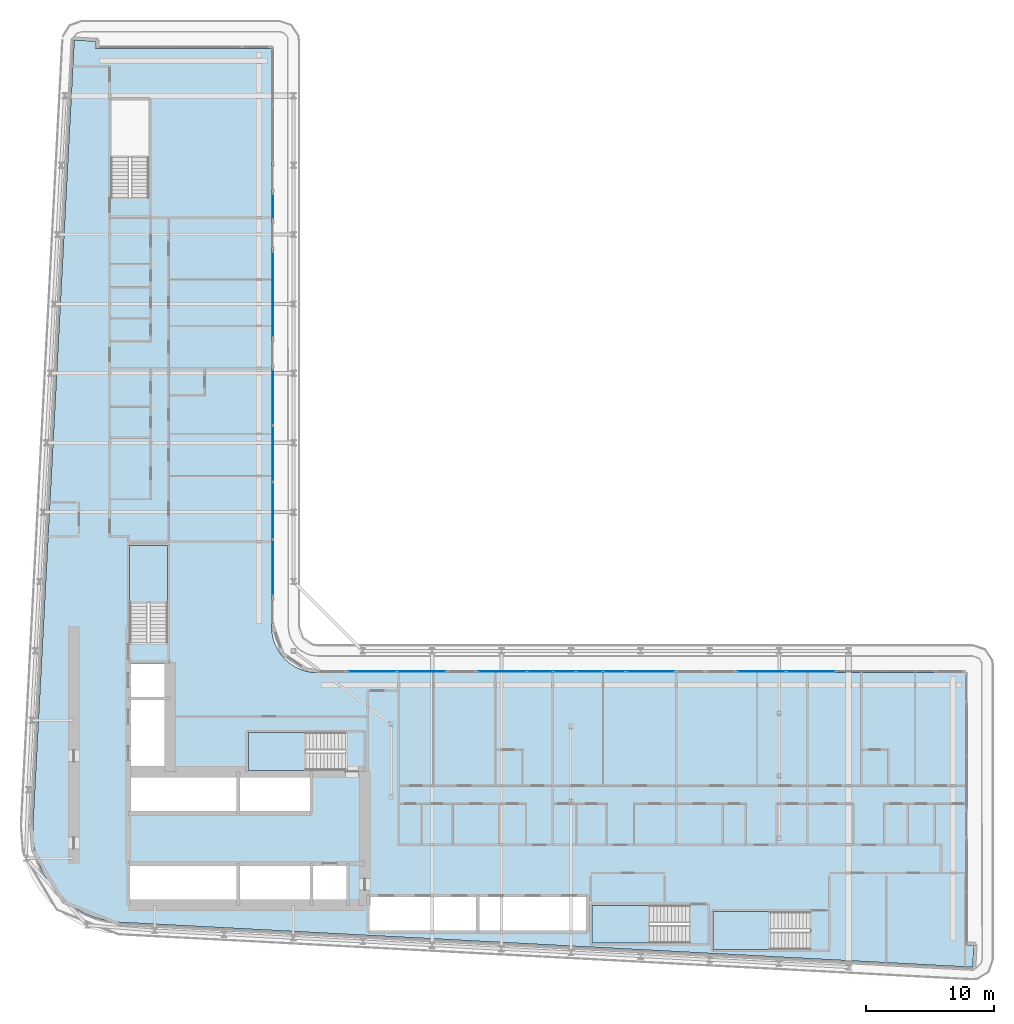
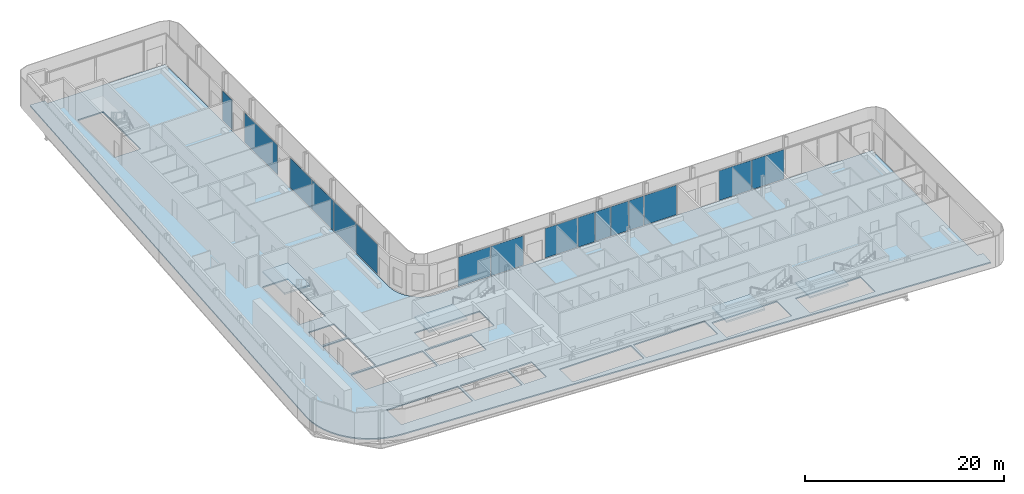
# One storey, part 10 of 26: 16 plates, 5 slabs, 12 elements without a shape of their own.
"""IFC4 building model written with IfcOpenShell, lengths in metres."""

import ifcopenshell
import ifcopenshell.guid

model = None  # the IFC model being written
_history = None  # IfcOwnerHistory: only IFC2X3 demands one
_inside = {}  # id of a spatial element -> (the spatial element, [elements in it])
_under = {}  # id of a project, library or spatial element -> (it, [spatial elements below it])
_declared = {}  # id of a project -> (the project, [libraries it declares])
_typed = {}  # id of a type object -> (the type object, [elements of that type])
_made_of = {}  # id of a material, layer set ... -> (it, [elements and type objects made of it])


def new_model(schema):
    """Start an empty IFC model of exactly this schema.

    Asked for "IFC4X3", IfcOpenShell would pick the latest addendum, in which some entities
    have other attributes; the version numbers below select the first issue.
    IFC2X3 requires an IfcOwnerHistory on every rooted entity: one is made here for all.
    """
    global model, _history
    if schema == "IFC4X3":
        model = ifcopenshell.file(schema_version=(4, 3, 0, 0))
    else:
        model = ifcopenshell.file(schema=schema)
    _inside.clear()
    _under.clear()
    _declared.clear()
    _typed.clear()
    _made_of.clear()
    _history = None
    if model.schema == "IFC2X3":
        org = make("IfcOrganization", Name="unknown")
        user = make(
            "IfcPersonAndOrganization",
            ThePerson=make("IfcPerson", FamilyName="unknown"),
            TheOrganization=org,
        )
        app = make(
            "IfcApplication",
            ApplicationDeveloper=org,
            Version="unknown",
            ApplicationFullName="unknown",
            ApplicationIdentifier="unknown",
        )
        _history = make(
            "IfcOwnerHistory",
            OwningUser=user,
            OwningApplication=app,
            ChangeAction="ADDED",
            CreationDate=0,
        )
    return model


def make(cls, **values):
    """One entity of the class cls with the attributes given. An attribute that is None is left unset."""
    return model.create_entity(
        cls, **{name: value for name, value in values.items() if value is not None}
    )


def rooted(cls, **values):
    """An entity with a GlobalId (a new one), such as an element, a storey or a relation."""
    return make(cls, GlobalId=ifcopenshell.guid.new(), OwnerHistory=_history, **values)


def si_unit(unit_type, name, prefix=None):
    """IfcSIUnit, for example si_unit("LENGTHUNIT", "METRE", prefix="MILLI")."""
    return make("IfcSIUnit", UnitType=unit_type, Prefix=prefix, Name=name)


def assignment(units):
    """IfcUnitAssignment: the units of a project."""
    return None if units is None else make("IfcUnitAssignment", Units=units)


def point(xyz):
    """IfcCartesianPoint."""
    return None if xyz is None else make("IfcCartesianPoint", Coordinates=xyz)


def direction(xyz):
    """IfcDirection."""
    return None if xyz is None else make("IfcDirection", DirectionRatios=xyz)


def frame(location, z_axis=None, x_axis=None):
    """IfcAxis2Placement3D, a coordinate frame: its origin and axes. An axis left out is left unset."""
    return make(
        "IfcAxis2Placement3D",
        Location=point(location),
        Axis=direction(z_axis),
        RefDirection=direction(x_axis),
    )


def frame_2d(location, x_axis=None):
    """IfcAxis2Placement2D, a coordinate frame in the plane: its origin and x axis."""
    return make(
        "IfcAxis2Placement2D", Location=point(location), RefDirection=direction(x_axis)
    )


def origin():
    """The frame at (0, 0, 0) with its axes left unset."""
    return frame((0.0, 0.0, 0.0))


def origin_2d():
    """The frame at (0, 0) in the plane with its x axis left unset."""
    return frame_2d((0.0, 0.0))


def place(relative_to, where):
    """IfcLocalPlacement: puts the frame where relative to a parent placement (None: the world)."""
    return make(
        "IfcLocalPlacement", PlacementRelTo=relative_to, RelativePlacement=where
    )


def context(
    kind, dimensions, precision=None, world=None, true_north=None, identifier=None
):
    """IfcGeometricRepresentationContext, for example the 3D "Model" context."""
    return make(
        "IfcGeometricRepresentationContext",
        ContextIdentifier=identifier,
        ContextType=kind,
        CoordinateSpaceDimension=dimensions,
        Precision=precision,
        WorldCoordinateSystem=world,
        TrueNorth=true_north,
    )


def subcontext(parent, identifier, kind, view, scale=None):
    """IfcGeometricRepresentationSubContext, for example "Body" below "Model"."""
    return make(
        "IfcGeometricRepresentationSubContext",
        ContextIdentifier=identifier,
        ContextType=kind,
        ParentContext=parent,
        TargetScale=scale,
        TargetView=view,
    )


def project(units=None, contexts=None):
    """IfcProject with its units and contexts."""
    return rooted(
        "IfcProject",
        Name="project",
        RepresentationContexts=contexts,
        UnitsInContext=assignment(units),
    )


def spatial(cls, under=None, at=None, **own):
    """A site, building, storey or space (cls), placed at a placement, below another one or the project."""
    s = rooted(cls, ObjectPlacement=at, **own)
    if under is not None:
        _under.setdefault(under.id(), (under, []))[1].append(s)
    return s


def polyline(points):
    """IfcPolyline through the points."""
    return make("IfcPolyline", Points=[point(p) for p in points])


def profile(cls, at=None, kind="AREA", **sizes):
    """A parametric profile (cls). Its sizes go by their IFC names, for example OverallWidth=200.0."""
    return make(cls, ProfileType=kind, Position=at, **sizes)


def rectangle(**sizes):
    """IfcRectangleProfileDef."""
    return profile("IfcRectangleProfileDef", **sizes)


def outline(outer, holes=None, kind="AREA"):
    """IfcArbitraryClosedProfileDef: a profile drawn as a closed curve; with holes, ...WithVoids."""
    if holes is None:
        return make("IfcArbitraryClosedProfileDef", ProfileType=kind, OuterCurve=outer)
    return make(
        "IfcArbitraryProfileDefWithVoids",
        ProfileType=kind,
        OuterCurve=outer,
        InnerCurves=holes,
    )


def extrude(swept, where, along, depth):
    """IfcExtrudedAreaSolid: the profile swept, set in the frame where, extruded along a direction by depth."""
    return make(
        "IfcExtrudedAreaSolid",
        SweptArea=swept,
        Position=where,
        ExtrudedDirection=direction(along),
        Depth=depth,
    )


def shape(context_of_items, identifier, shape_type, items):
    """IfcShapeRepresentation: the items that make up one representation, for example the "Body"."""
    return make(
        "IfcShapeRepresentation",
        ContextOfItems=context_of_items,
        RepresentationIdentifier=identifier,
        RepresentationType=shape_type,
        Items=items,
    )


def material(Name=None, Category=None):
    """IfcMaterial."""
    return make("IfcMaterial", Name=Name, Category=Category)


def layer(
    of_material, thickness, ventilated=None, Name=None, Category=None, Priority=None
):
    """IfcMaterialLayer: one layer of a wall or slab, of a material (None: an air gap)."""
    return make(
        "IfcMaterialLayer",
        Material=of_material,
        LayerThickness=thickness,
        IsVentilated=ventilated,
        Name=Name,
        Category=Category,
        Priority=Priority,
    )


def layer_set(layers, Name=None):
    """IfcMaterialLayerSet."""
    return make("IfcMaterialLayerSet", MaterialLayers=layers, LayerSetName=Name)


def made_of(thing, what):
    """Note that an element or type object is made of a material, layer set ...; save() writes the relation."""
    if what is not None:
        _made_of.setdefault(what.id(), (what, []))[1].append(thing)
    return thing


def type_object(cls, material=None, **own):
    """A type object (cls), such as IfcWallType, which elements share."""
    return made_of(rooted(cls, **own), material)


def element(
    cls,
    number,
    at=None,
    inside=None,
    cuts=None,
    type_object=None,
    material=None,
    context=None,
    identifier="Body",
    shape_type=None,
    held_by="IfcProductDefinitionShape",
    body=None,
    shapes=None,
    **own,
):
    """One element of the class cls, such as IfcWall. Its Tag is "e" and its number.

    at: its placement. inside: the storey or other place that contains it. cuts: it is an
    opening in that element (IfcRelVoidsElement). A single representation is given by context,
    identifier, shape_type and body (its items); several are given by shapes. held_by: the class
    of the entity that holds the representations. save() writes the other relations.
    """
    e = rooted(cls, Tag="e%d" % number, ObjectPlacement=at, **own)
    if body is not None:
        shapes = [shape(context, identifier, shape_type, body)]
    if shapes is not None:
        e.Representation = make(held_by, Representations=shapes)
    if inside is not None:
        _inside.setdefault(inside.id(), (inside, []))[1].append(e)
    if cuts is not None:
        rooted(
            "IfcRelVoidsElement", RelatingBuildingElement=cuts, RelatedOpeningElement=e
        )
    if type_object is not None:
        _typed.setdefault(type_object.id(), (type_object, []))[1].append(e)
    return made_of(e, material)


def aggregate(whole, parts):
    """IfcRelAggregates: a whole, such as a stair, and the parts it consists of."""
    return rooted("IfcRelAggregates", RelatingObject=whole, RelatedObjects=parts)


def save(model, path):
    """Write the relations noted so far, then the file.

    IfcRelAggregates (storeys below a building ...), IfcRelContainedInSpatialStructure (elements
    in a storey), IfcRelDefinesByType, IfcRelAssociatesMaterial and IfcRelDeclares: one each for
    every whole, place, type object, material and project.
    """
    for whole, parts in _under.values():
        aggregate(whole, parts)
    for where, things in _inside.values():
        rooted(
            "IfcRelContainedInSpatialStructure",
            RelatedElements=things,
            RelatingStructure=where,
        )
    for kind, things in _typed.values():
        rooted("IfcRelDefinesByType", RelatedObjects=things, RelatingType=kind)
    for what, things in _made_of.values():
        rooted("IfcRelAssociatesMaterial", RelatedObjects=things, RelatingMaterial=what)
    for by, libraries in _declared.values():
        rooted("IfcRelDeclares", RelatingContext=by, RelatedDefinitions=libraries)
    model.write(path)


model = new_model("IFC4")

# Units and contexts
model_context = context("Model", 3, precision=1e-05, world=origin(), true_north=direction((0.0, 1.0)))
body_context = subcontext(model_context, "Body", "Model", "MODEL_VIEW")
ifc_project = project(units=[si_unit("LENGTHUNIT", "METRE"), si_unit("AREAUNIT", "SQUARE_METRE"), si_unit("VOLUMEUNIT", "CUBIC_METRE"), si_unit("PLANEANGLEUNIT", "RADIAN"), si_unit("MASSUNIT", "GRAM", prefix="KILO")], contexts=[model_context])

# Site, building, storey
site_placement = place(None, origin())
site = spatial("IfcSite", under=ifc_project, at=site_placement, CompositionType="ELEMENT")
building_placement = place(site_placement, origin())
building = spatial("IfcBuilding", under=site, at=building_placement, Name="Kheshtan School and Residences Tower", CompositionType="ELEMENT")
storey_placement = place(building_placement, frame((0.0, 0.0, 105.800048828125)))
storey = spatial("IfcBuildingStorey", under=building, at=storey_placement, Name="L24", CompositionType="ELEMENT", Elevation=105.800048828125)

# Curtain wall, plate
ifc_material_1 = material(Name="Clear low-e glass in thermally broken aluminium frame", Category="aluminium")
ifc_layer_1 = layer(ifc_material_1, 0.199951171875)
ifc_layer_set_1 = layer_set([ifc_layer_1], Name="Curtain wall CW-L")
curtain_wall_type = type_object("IfcCurtainWallType", Name="Curtain wall CW-L", PredefinedType="NOTDEFINED", material=ifc_layer_set_1)
curtain_wall_1_placement = place(storey_placement, origin())
curtain_wall_1 = element("IfcCurtainWall", 1, at=curtain_wall_1_placement, inside=storey, type_object=curtain_wall_type, Name="Curtain wall CWL4c", PredefinedType="NOTDEFINED")
ifc_layer_2 = layer(ifc_material_1, 0.031982421875)
ifc_layer_set_2 = layer_set([ifc_layer_2], Name="CW-L glass panel")
plate_type = type_object("IfcPlateType", Name="CW-L glass panel", PredefinedType="CURTAIN_PANEL", material=ifc_layer_set_2)
plate_1_placement = place(storey_placement, frame((46.0, 80.1826171875, 0.0), z_axis=(0.0, 0.0, 1.0), x_axis=(0.0, -1.0, 0.0)))
plate_1 = element("IfcPlate", 2, at=plate_1_placement, type_object=plate_type, Name="CWL4c panel 1.1", PredefinedType="CURTAIN_PANEL", context=body_context, shape_type="SweptSolid", body=[
    extrude(rectangle(XDim=1.97998046875, YDim=0.031982421875, at=origin_2d()), origin(), (0.0, 0.0, 1.0), 3.6298828125),
])
aggregate(curtain_wall_1, [plate_1])

curtain_wall_2_placement = place(storey_placement, origin())
curtain_wall_2 = element("IfcCurtainWall", 3, at=curtain_wall_2_placement, inside=storey, type_object=curtain_wall_type, Name="Curtain wall CWL4d", PredefinedType="NOTDEFINED")
plate_2_placement = place(storey_placement, frame((46.0, 73.3486328125, 0.0), z_axis=(0.0, 0.0, 1.0), x_axis=(0.0, -1.0, 0.0)))
plate_2 = element("IfcPlate", 4, at=plate_2_placement, type_object=plate_type, Name="CWL4d panel 1.1", PredefinedType="CURTAIN_PANEL", context=body_context, shape_type="SweptSolid", body=[
    extrude(rectangle(XDim=6.6474609375, YDim=0.031982421875, at=origin_2d()), origin(), (0.0, 0.0, 1.0), 3.6298828125),
])
aggregate(curtain_wall_2, [plate_2])

# Curtain wall, plates
curtain_wall_3_placement = place(storey_placement, origin())
curtain_wall_3 = element("IfcCurtainWall", 5, at=curtain_wall_3_placement, inside=storey, type_object=curtain_wall_type, Name="Curtain wall CWL4b", PredefinedType="NOTDEFINED")
plate_3_placement = place(storey_placement, frame((46.0, 65.3330078125, 0.0), z_axis=(0.0, 0.0, 1.0), x_axis=(0.0, -1.0, 0.0)))
plate_3 = element("IfcPlate", 6, at=plate_3_placement, type_object=plate_type, Name="CWL4b panel 1.1", PredefinedType="CURTAIN_PANEL", context=body_context, shape_type="SweptSolid", body=[
    extrude(rectangle(XDim=4.34375, YDim=0.031982421875, at=origin_2d()), origin(), (0.0, 0.0, 1.0), 3.6298828125),
])
plate_4_placement = place(storey_placement, frame((46.0, 60.929443359375, 0.0), z_axis=(0.0, 0.0, 1.0), x_axis=(0.0, -1.0, 0.0)))
plate_4 = element("IfcPlate", 7, at=plate_4_placement, type_object=plate_type, Name="CWL4b panel 2.1", PredefinedType="CURTAIN_PANEL", context=body_context, shape_type="SweptSolid", body=[
    extrude(rectangle(XDim=4.34375, YDim=0.031982421875, at=origin_2d()), origin(), (0.0, 0.0, 1.0), 3.6298828125),
])
aggregate(curtain_wall_3, [plate_3, plate_4])

curtain_wall_4_placement = place(storey_placement, origin())
curtain_wall_4 = element("IfcCurtainWall", 8, at=curtain_wall_4_placement, inside=storey, type_object=curtain_wall_type, Name="Curtain wall CWL4b", PredefinedType="NOTDEFINED")
plate_5_placement = place(storey_placement, frame((46.0, 56.49560546875, 0.0), z_axis=(0.0, 0.0, 1.0), x_axis=(0.0, -1.0, 0.0)))
plate_5 = element("IfcPlate", 9, at=plate_5_placement, type_object=plate_type, Name="CWL4b panel 1.1", PredefinedType="CURTAIN_PANEL", context=body_context, shape_type="SweptSolid", body=[
    extrude(rectangle(XDim=4.40380859375, YDim=0.031982421875, at=origin_2d()), origin(), (0.0, 0.0, 1.0), 3.6298828125),
])
plate_6_placement = place(storey_placement, frame((46.0, 52.061767578125, 0.0), z_axis=(0.0, 0.0, 1.0), x_axis=(0.0, -1.0, 0.0)))
plate_6 = element("IfcPlate", 10, at=plate_6_placement, type_object=plate_type, Name="CWL4b panel 2.1", PredefinedType="CURTAIN_PANEL", context=body_context, shape_type="SweptSolid", body=[
    extrude(rectangle(XDim=4.34375, YDim=0.031982421875, at=origin_2d()), origin(), (0.0, 0.0, 1.0), 3.6298828125),
])
aggregate(curtain_wall_4, [plate_5, plate_6])

curtain_wall_5_placement = place(storey_placement, origin())
curtain_wall_5 = element("IfcCurtainWall", 11, at=curtain_wall_5_placement, inside=storey, type_object=curtain_wall_type, Name="Curtain wall CWL8", PredefinedType="NOTDEFINED")
plate_7_placement = place(storey_placement, frame((53.7685546875, 44.0, 0.0), z_axis=(0.0, 0.0, 1.0), x_axis=(1.0, 0.0, 0.0)))
plate_7 = element("IfcPlate", 12, at=plate_7_placement, type_object=plate_type, Name="CWL8 panel 1.1", PredefinedType="CURTAIN_PANEL", context=body_context, shape_type="SweptSolid", body=[
    extrude(rectangle(XDim=3.757080078125, YDim=0.031982421875, at=origin_2d()), origin(), (0.0, 0.0, 1.0), 3.6298828125),
])
plate_8_placement = place(storey_placement, frame((57.58544921875, 44.0, 0.0), z_axis=(0.0, 0.0, 1.0), x_axis=(1.0, 0.0, 0.0)))
plate_8 = element("IfcPlate", 13, at=plate_8_placement, type_object=plate_type, Name="CWL8 panel 2.1", PredefinedType="CURTAIN_PANEL", context=body_context, shape_type="SweptSolid", body=[
    extrude(rectangle(XDim=3.757080078125, YDim=0.031982421875, at=origin_2d()), origin(), (0.0, 0.0, 1.0), 3.6298828125),
])
aggregate(curtain_wall_5, [plate_7, plate_8])

curtain_wall_6_placement = place(storey_placement, origin())
curtain_wall_6 = element("IfcCurtainWall", 14, at=curtain_wall_6_placement, inside=storey, type_object=curtain_wall_type, Name="Curtain wall CWL8c", PredefinedType="NOTDEFINED")
plate_9_placement = place(storey_placement, frame((63.862548828125, 44.0, 0.0), z_axis=(0.0, 0.0, 1.0), x_axis=(1.0, 0.0, 0.0)))
plate_9 = element("IfcPlate", 15, at=plate_9_placement, type_object=plate_type, Name="CWL8c panel 1.1", PredefinedType="CURTAIN_PANEL", context=body_context, shape_type="SweptSolid", body=[
    extrude(rectangle(XDim=3.757080078125, YDim=0.031982421875, at=origin_2d()), origin(), (0.0, 0.0, 1.0), 3.6298828125),
])
plate_10_placement = place(storey_placement, frame((66.785400390625, 44.0, 0.0), z_axis=(0.0, 0.0, 1.0), x_axis=(1.0, 0.0, 0.0)))
plate_10 = element("IfcPlate", 16, at=plate_10_placement, type_object=plate_type, Name="CWL8c panel 2.1", PredefinedType="CURTAIN_PANEL", context=body_context, shape_type="SweptSolid", body=[
    extrude(rectangle(XDim=1.968994140625, YDim=0.031982421875, at=origin_2d()), origin(), (0.0, 0.0, 1.0), 3.6298828125),
])
plate_11_placement = place(storey_placement, frame((68.694091796875, 44.0, 0.0), z_axis=(0.0, 0.0, 1.0), x_axis=(1.0, 0.0, 0.0)))
plate_11 = element("IfcPlate", 17, at=plate_11_placement, type_object=plate_type, Name="CWL8c panel 3.1", PredefinedType="CURTAIN_PANEL", context=body_context, shape_type="SweptSolid", body=[
    extrude(rectangle(XDim=1.72802734375, YDim=0.031982421875, at=origin_2d()), origin(), (0.0, 0.0, 1.0), 3.6298828125),
])
aggregate(curtain_wall_6, [plate_9, plate_10, plate_11])

curtain_wall_7_placement = place(storey_placement, origin())
curtain_wall_7 = element("IfcCurtainWall", 18, at=curtain_wall_7_placement, inside=storey, type_object=curtain_wall_type, Name="Curtain wall CWL8c", PredefinedType="NOTDEFINED")
plate_12_placement = place(storey_placement, frame((70.64404296875, 44.0, 0.0), z_axis=(0.0, 0.0, 1.0), x_axis=(1.0, 0.0, 0.0)))
plate_12 = element("IfcPlate", 19, at=plate_12_placement, type_object=plate_type, Name="CWL8c panel 1.1", PredefinedType="CURTAIN_PANEL", context=body_context, shape_type="SweptSolid", body=[
    extrude(rectangle(XDim=2.052001953125, YDim=0.031982421875, at=origin_2d()), origin(), (0.0, 0.0, 1.0), 3.6298828125),
])
plate_13_placement = place(storey_placement, frame((72.58251953125, 44.0, 0.0), z_axis=(0.0, 0.0, 1.0), x_axis=(1.0, 0.0, 0.0)))
plate_13 = element("IfcPlate", 20, at=plate_13_placement, type_object=plate_type, Name="CWL8c panel 2.1", PredefinedType="CURTAIN_PANEL", context=body_context, shape_type="SweptSolid", body=[
    extrude(rectangle(XDim=1.705078125, YDim=0.031982421875, at=origin_2d()), origin(), (0.0, 0.0, 1.0), 3.6298828125),
])
plate_14_placement = place(storey_placement, frame((75.37353515625, 44.0, 0.0), z_axis=(0.0, 0.0, 1.0), x_axis=(1.0, 0.0, 0.0)))
plate_14 = element("IfcPlate", 21, at=plate_14_placement, type_object=plate_type, Name="CWL8c panel 3.1", PredefinedType="CURTAIN_PANEL", context=body_context, shape_type="SweptSolid", body=[
    extrude(rectangle(XDim=3.757080078125, YDim=0.031982421875, at=origin_2d()), origin(), (0.0, 0.0, 1.0), 3.6298828125),
])
aggregate(curtain_wall_7, [plate_12, plate_13, plate_14])

curtain_wall_8_placement = place(storey_placement, origin())
curtain_wall_8 = element("IfcCurtainWall", 22, at=curtain_wall_8_placement, inside=storey, type_object=curtain_wall_type, Name="Curtain wall CWL8", PredefinedType="NOTDEFINED")
plate_15_placement = place(storey_placement, frame((84.050537109375, 44.0, 0.0), z_axis=(0.0, 0.0, 1.0), x_axis=(1.0, 0.0, 0.0)))
plate_15 = element("IfcPlate", 23, at=plate_15_placement, type_object=plate_type, Name="CWL8 panel 1.1", PredefinedType="CURTAIN_PANEL", context=body_context, shape_type="SweptSolid", body=[
    extrude(rectangle(XDim=3.757080078125, YDim=0.031982421875, at=origin_2d()), origin(), (0.0, 0.0, 1.0), 3.6298828125),
])
plate_16_placement = place(storey_placement, frame((87.867431640625, 44.0, 0.0), z_axis=(0.0, 0.0, 1.0), x_axis=(1.0, 0.0, 0.0)))
plate_16 = element("IfcPlate", 24, at=plate_16_placement, type_object=plate_type, Name="CWL8 panel 2.1", PredefinedType="CURTAIN_PANEL", context=body_context, shape_type="SweptSolid", body=[
    extrude(rectangle(XDim=3.757080078125, YDim=0.031982421875, at=origin_2d()), origin(), (0.0, 0.0, 1.0), 3.6298828125),
])
aggregate(curtain_wall_8, [plate_15, plate_16])

# Slab
ifc_material_2 = material(Name="Concrete C40/50", Category="concrete")
ifc_layer_3 = layer(ifc_material_2, 0.14990234375)
ifc_layer_set_3 = layer_set([ifc_layer_3], Name="Floor slab 150 Concrete C40/50")
slab_type_1 = type_object("IfcSlabType", Name="Floor slab 150 Concrete C40/50", PredefinedType="FLOOR", material=ifc_layer_set_3)
slab_1_placement = place(storey_placement, frame((0.0, 0.0, -0.150146484375)))
element("IfcSlab", 25, at=slab_1_placement, inside=storey, type_object=slab_type_1, Name="Floor slab L24", PredefinedType="FLOOR", context=body_context, shape_type="SweptSolid", body=[
    extrude(outline(polyline([(27.718017578125, 29.200927734375), (27.466064453125, 30.093017578125), (27.466064453125, 30.093994140625), (27.3330078125, 31.013916015625), (27.320068359375, 31.965087890625), (27.320068359375, 31.970947265625), (30.5380859375, 93.10107421875), (30.5390625, 93.10791015625), (30.5419921875, 93.131103515625), (30.5419921875, 93.132080078125), (30.54296875, 93.132080078125), (31.137939453125, 93.10009765625), (31.138916015625, 93.10009765625), (31.138916015625, 93.09912109375), (31.138916015625, 93.094970703125), (31.138916015625, 93.093994140625), (31.139892578125, 93.093994140625), (31.139892578125, 93.093017578125), (31.14111328125, 93.093017578125), (31.14208984375, 93.093017578125), (31.14208984375, 93.093994140625), (31.14404296875, 93.095947265625), (31.14501953125, 93.096923828125), (31.14599609375, 93.097900390625), (31.14697265625, 93.097900390625), (31.14697265625, 93.09912109375), (31.14794921875, 93.09912109375), (31.14794921875, 93.10009765625), (31.14892578125, 93.10009765625), (31.152099609375, 93.10205078125), (31.155029296875, 93.10205078125), (31.156005859375, 93.10205078125), (31.156005859375, 93.10302734375), (31.156982421875, 93.10302734375), (31.162109375, 93.10302734375), (32.217041015625, 93.047119140625), (32.219970703125, 93.047119140625), (32.220947265625, 93.047119140625), (32.220947265625, 93.0458984375), (32.221923828125, 93.0458984375), (32.22607421875, 93.0458984375), (32.22607421875, 93.044921875), (32.22705078125, 93.044921875), (32.22705078125, 93.0439453125), (32.22802734375, 93.0439453125), (32.22802734375, 93.04296875), (32.22900390625, 93.04296875), (32.22998046875, 93.04296875), (32.22998046875, 93.0419921875), (32.23095703125, 93.0419921875), (32.23193359375, 93.0419921875), (32.23193359375, 93.041015625), (32.23388671875, 93.0390625), (32.235107421875, 93.0390625), (32.235107421875, 93.0380859375), (32.235107421875, 93.037109375), (32.236083984375, 93.037109375), (32.236083984375, 93.035888671875), (32.237060546875, 93.035888671875), (32.237060546875, 93.033935546875), (32.237060546875, 93.032958984375), (32.238037109375, 93.032958984375), (32.238037109375, 93.031982421875), (32.239013671875, 93.031982421875), (32.239013671875, 93.031005859375), (32.239013671875, 93.029052734375), (32.239013671875, 93.028076171875), (32.239990234375, 93.028076171875), (32.239990234375, 93.027099609375), (32.239990234375, 93.02197265625), (32.212890625, 92.52099609375), (32.212890625, 92.51806640625), (32.212890625, 92.51708984375), (32.2119140625, 92.51708984375), (32.2119140625, 92.51611328125), (32.2119140625, 92.511962890625), (32.2109375, 92.510009765625), (32.2099609375, 92.510009765625), (32.2099609375, 92.509033203125), (32.208984375, 92.509033203125), (32.208984375, 92.508056640625), (32.2080078125, 92.507080078125), (32.2060546875, 92.5048828125), (32.205078125, 92.50390625), (32.2041015625, 92.50390625), (32.2041015625, 92.5029296875), (32.2041015625, 92.501953125), (32.2041015625, 92.5009765625), (32.205078125, 92.5009765625), (32.205078125, 92.5), (32.2060546875, 92.5), (45.85498046875, 92.5), (45.860107421875, 92.4990234375), (45.864990234375, 92.498046875), (45.865966796875, 92.498046875), (45.868896484375, 92.49609375), (45.8740234375, 92.493896484375), (45.8779296875, 92.491943359375), (45.881103515625, 92.489990234375), (45.881103515625, 92.489013671875), (45.882080078125, 92.489013671875), (45.882080078125, 92.488037109375), (45.883056640625, 92.488037109375), (45.884033203125, 92.485107421875), (45.885009765625, 92.485107421875), (45.885009765625, 92.48388671875), (45.887939453125, 92.48291015625), (45.887939453125, 92.48193359375), (45.888916015625, 92.48193359375), (45.888916015625, 92.48095703125), (45.889892578125, 92.48095703125), (45.89208984375, 92.47802734375), (45.89404296875, 92.47412109375), (45.89599609375, 92.468994140625), (45.89794921875, 92.466064453125), (45.89794921875, 92.465087890625), (45.89892578125, 92.4599609375), (45.89990234375, 92.455078125), (45.89990234375, 47.429931640625), (45.927001953125, 47.030029296875), (46.01806640625, 46.570068359375), (46.01806640625, 46.569091796875), (46.169921875, 46.1201171875), (46.37890625, 45.697021484375), (46.638916015625, 45.30810546875), (46.949951171875, 44.950927734375), (46.950927734375, 44.949951171875), (47.30810546875, 44.638916015625), (47.697021484375, 44.37890625), (48.1201171875, 44.169921875), (48.569091796875, 44.01806640625), (48.570068359375, 44.01806640625), (49.030029296875, 43.927001953125), (49.429931640625, 43.89990234375), (99.85498046875, 43.89990234375), (99.864990234375, 43.89794921875), (99.865966796875, 43.89794921875), (99.868896484375, 43.89599609375), (99.8740234375, 43.89404296875), (99.8779296875, 43.89208984375), (99.881103515625, 43.889892578125), (99.881103515625, 43.888916015625), (99.882080078125, 43.888916015625), (99.882080078125, 43.887939453125), (99.883056640625, 43.887939453125), (99.884033203125, 43.885009765625), (99.885009765625, 43.885009765625), (99.885009765625, 43.884033203125), (99.887939453125, 43.883056640625), (99.887939453125, 43.882080078125), (99.888916015625, 43.882080078125), (99.888916015625, 43.881103515625), (99.889892578125, 43.881103515625), (99.89208984375, 43.8779296875), (99.89404296875, 43.8740234375), (99.89599609375, 43.868896484375), (99.89794921875, 43.865966796875), (99.89794921875, 43.864990234375), (99.89990234375, 43.85498046875), (99.89990234375, 22.708984375), (99.89990234375, 22.7080078125), (99.90087890625, 22.7080078125), (99.90087890625, 22.70703125), (99.902099609375, 22.70703125), (99.903076171875, 22.70703125), (99.903076171875, 22.7080078125), (99.905029296875, 22.7099609375), (99.906982421875, 22.7119140625), (99.907958984375, 22.7119140625), (99.907958984375, 22.712890625), (99.908935546875, 22.712890625), (99.908935546875, 22.714111328125), (99.909912109375, 22.714111328125), (99.912109375, 22.715087890625), (99.9130859375, 22.716064453125), (99.916015625, 22.716064453125), (99.9169921875, 22.716064453125), (99.9169921875, 22.717041015625), (99.91796875, 22.717041015625), (99.923095703125, 22.717041015625), (100.5380859375, 22.68408203125), (100.541015625, 22.68408203125), (100.5419921875, 22.68408203125), (100.5419921875, 22.68310546875), (100.54296875, 22.68310546875), (100.547119140625, 22.68310546875), (100.547119140625, 22.681884765625), (100.548095703125, 22.681884765625), (100.548095703125, 22.680908203125), (100.549072265625, 22.680908203125), (100.549072265625, 22.679931640625), (100.550048828125, 22.679931640625), (100.551025390625, 22.679931640625), (100.551025390625, 22.678955078125), (100.552001953125, 22.678955078125), (100.552978515625, 22.678955078125), (100.552978515625, 22.677978515625), (100.554931640625, 22.676025390625), (100.555908203125, 22.676025390625), (100.555908203125, 22.675048828125), (100.555908203125, 22.674072265625), (100.556884765625, 22.674072265625), (100.556884765625, 22.673095703125), (100.55810546875, 22.673095703125), (100.55810546875, 22.6708984375), (100.55810546875, 22.669921875), (100.55908203125, 22.669921875), (100.55908203125, 22.6689453125), (100.56005859375, 22.6689453125), (100.56005859375, 22.66796875), (100.56005859375, 22.666015625), (100.56005859375, 22.6650390625), (100.56103515625, 22.6650390625), (100.56103515625, 22.6640625), (100.56103515625, 22.658935546875), (100.5048828125, 21.60205078125), (100.5048828125, 21.59912109375), (100.5048828125, 21.597900390625), (100.50390625, 21.597900390625), (100.50390625, 21.596923828125), (100.50390625, 21.593017578125), (100.5029296875, 21.592041015625), (100.5029296875, 21.591064453125), (100.501953125, 21.591064453125), (100.501953125, 21.590087890625), (100.5009765625, 21.590087890625), (100.5009765625, 21.589111328125), (100.5, 21.587890625), (100.498046875, 21.5859375), (100.4970703125, 21.5849609375), (100.49609375, 21.5849609375), (100.49609375, 21.583984375), (100.49609375, 21.5830078125), (100.49609375, 21.58203125), (100.4970703125, 21.58203125), (100.4970703125, 21.5810546875), (100.498046875, 21.5810546875), (100.4990234375, 21.5810546875), (100.5, 21.5810546875), (100.5, 21.580078125), (100.468017578125, 20.985107421875), (100.468017578125, 20.98388671875), (100.467041015625, 20.98388671875), (100.443115234375, 20.98291015625), (100.43798828125, 20.98291015625), (34.056884765625, 24.47802734375), (33.114990234375, 24.590087890625), (32.215087890625, 24.819091796875), (32.214111328125, 24.819091796875), (31.35205078125, 25.1630859375), (30.541015625, 25.616943359375), (29.799072265625, 26.1708984375), (29.799072265625, 26.172119140625), (29.798095703125, 26.172119140625), (29.134033203125, 26.820068359375), (29.134033203125, 26.821044921875), (29.133056640625, 26.821044921875), (28.55908203125, 27.550048828125), (28.0849609375, 28.345947265625), (27.718017578125, 29.200927734375)]), holes=[polyline([(99.89990234375, 21.5869140625), (99.89990234375, 21.5830078125), (99.89990234375, 21.58203125), (99.90087890625, 21.58203125), (99.90087890625, 21.5810546875), (99.902099609375, 21.5810546875), (99.906005859375, 21.5810546875), (99.906982421875, 21.5810546875), (99.906982421875, 21.58203125), (99.907958984375, 21.58203125), (99.907958984375, 21.5830078125), (99.907958984375, 21.583984375), (99.906982421875, 21.583984375), (99.905029296875, 21.5859375), (99.904052734375, 21.5869140625), (99.903076171875, 21.587890625), (99.903076171875, 21.589111328125), (99.902099609375, 21.589111328125), (99.90087890625, 21.589111328125), (99.90087890625, 21.587890625), (99.89990234375, 21.587890625), (99.89990234375, 21.5869140625)]), polyline([(31.138916015625, 92.506103515625), (31.138916015625, 92.501953125), (31.138916015625, 92.5009765625), (31.139892578125, 92.5009765625), (31.139892578125, 92.5), (31.14111328125, 92.5), (31.14501953125, 92.5), (31.14599609375, 92.5), (31.14599609375, 92.5009765625), (31.14697265625, 92.5009765625), (31.14697265625, 92.501953125), (31.14697265625, 92.5029296875), (31.14599609375, 92.5029296875), (31.14501953125, 92.50390625), (31.14404296875, 92.5048828125), (31.14306640625, 92.506103515625), (31.14208984375, 92.507080078125), (31.14208984375, 92.508056640625), (31.14111328125, 92.508056640625), (31.139892578125, 92.508056640625), (31.139892578125, 92.507080078125), (31.138916015625, 92.507080078125), (31.138916015625, 92.506103515625)]), polyline([(34.875, 28.925048828125), (34.875, 25.925048828125), (43.175048828125, 25.925048828125), (43.175048828125, 28.925048828125), (34.875, 28.925048828125)]), polyline([(43.425048828125, 25.925048828125), (48.875, 25.925048828125), (48.875, 28.925048828125), (43.425048828125, 28.925048828125), (43.425048828125, 25.925048828125)]), polyline([(43.175048828125, 36.074951171875), (34.875, 36.074951171875), (34.875, 33.074951171875), (43.175048828125, 33.074951171875), (43.175048828125, 36.074951171875)]), polyline([(34.875, 41.77490234375), (34.875, 36.324951171875), (37.875, 36.324951171875), (37.875, 41.77490234375), (34.875, 41.77490234375)]), polyline([(34.875, 44.625), (34.875, 42.02490234375), (37.875, 42.02490234375), (37.875, 44.625), (34.875, 44.625)]), polyline([(37.800048828125, 46.25), (37.800048828125, 53.81005859375), (34.85009765625, 53.81005859375), (34.85009765625, 46.260009765625), (36.25, 46.260009765625), (36.25, 46.25), (37.800048828125, 46.25)]), polyline([(33.39990234375, 88.4599609375), (33.39990234375, 80.909912109375), (34.800048828125, 80.909912109375), (34.800048828125, 80.89990234375), (36.35009765625, 80.89990234375), (36.35009765625, 88.4599609375), (33.39990234375, 88.4599609375)]), polyline([(87.81005859375, 22.35009765625), (87.81005859375, 23.75), (87.820068359375, 23.75), (87.820068359375, 25.300048828125), (80.260009765625, 25.300048828125), (80.260009765625, 22.35009765625), (87.81005859375, 22.35009765625)]), polyline([(70.85009765625, 22.85009765625), (78.39990234375, 22.85009765625), (78.39990234375, 24.25), (78.409912109375, 24.25), (78.409912109375, 25.800048828125), (70.85009765625, 25.800048828125), (70.85009765625, 22.85009765625)]), polyline([(61.824951171875, 26.425048828125), (53.52490234375, 26.425048828125), (53.52490234375, 23.824951171875), (61.824951171875, 23.824951171875), (61.824951171875, 26.425048828125)]), polyline([(62.074951171875, 23.824951171875), (70.375, 23.824951171875), (70.375, 26.425048828125), (62.074951171875, 26.425048828125), (62.074951171875, 23.824951171875)]), polyline([(49.125, 28.925048828125), (49.125, 25.925048828125), (51.72509765625, 25.925048828125), (51.72509765625, 28.925048828125), (49.125, 28.925048828125)]), polyline([(43.425048828125, 33.074951171875), (48.875, 33.074951171875), (48.875, 36.074951171875), (43.425048828125, 36.074951171875), (43.425048828125, 33.074951171875)]), polyline([(51.64990234375, 39.25), (44.090087890625, 39.25), (44.090087890625, 36.300048828125), (51.639892578125, 36.300048828125), (51.639892578125, 37.699951171875), (51.64990234375, 37.699951171875), (51.64990234375, 39.25)])]), origin(), (0.0, 0.0, 1.0), 0.150146484375),
])

# Stair, slab
stair_type = type_object("IfcStairType", Name="Exit stair, half-turn", PredefinedType="HALF_TURN_STAIR", material=ifc_material_2)
stair_1_placement = place(storey_placement, origin())
stair_1 = element("IfcStair", 26, at=stair_1_placement, inside=storey, type_object=stair_type, Name="L24 Protected Exit Stair ST1", PredefinedType="HALF_TURN_STAIR")
ifc_layer_4 = layer(ifc_material_2, 0.199951171875)
ifc_layer_set_4 = layer_set([ifc_layer_4], Name="Stair landing 200 Concrete C40/50")
slab_type_2 = type_object("IfcSlabType", Name="Stair landing 200 Concrete C40/50", PredefinedType="LANDING", material=ifc_layer_set_4)
slab_2_placement = place(storey_placement, frame((0.0, 0.0, 1.75)))
slab_2 = element("IfcSlab", 27, at=slab_2_placement, type_object=slab_type_2, Name="ST1 landing 1", PredefinedType="LANDING", context=body_context, shape_type="SweptSolid", body=[
    extrude(outline(polyline([(48.570068359375, 39.25), (44.090087890625, 39.25), (44.090087890625, 36.300048828125), (48.570068359375, 36.300048828125), (48.570068359375, 39.25)])), origin(), (0.0, 0.0, 1.0), 0.199951171875),
])
aggregate(stair_1, [slab_2])

stair_2_placement = place(storey_placement, origin())
stair_2 = element("IfcStair", 28, at=stair_2_placement, inside=storey, type_object=stair_type, Name="L24 Protected Exit Stair ST2", PredefinedType="HALF_TURN_STAIR")
slab_3_placement = place(storey_placement, frame((0.0, 0.0, 1.75)))
slab_3 = element("IfcSlab", 29, at=slab_3_placement, type_object=slab_type_2, Name="ST2 landing 1", PredefinedType="LANDING", context=body_context, shape_type="SweptSolid", body=[
    extrude(outline(polyline([(37.800048828125, 49.330078125), (37.800048828125, 53.81005859375), (34.85009765625, 53.81005859375), (34.85009765625, 49.330078125), (37.800048828125, 49.330078125)])), origin(), (0.0, 0.0, 1.0), 0.199951171875),
])
aggregate(stair_2, [slab_3])

stair_3_placement = place(storey_placement, origin())
stair_3 = element("IfcStair", 30, at=stair_3_placement, inside=storey, type_object=stair_type, Name="L24 Protected Exit Stair ST4", PredefinedType="HALF_TURN_STAIR")
slab_4_placement = place(storey_placement, frame((0.0, 0.0, 1.75)))
slab_4 = element("IfcSlab", 31, at=slab_4_placement, type_object=slab_type_2, Name="ST4 landing 1", PredefinedType="LANDING", context=body_context, shape_type="SweptSolid", body=[
    extrude(outline(polyline([(84.739990234375, 25.300048828125), (80.260009765625, 25.300048828125), (80.260009765625, 22.35009765625), (84.739990234375, 22.35009765625), (84.739990234375, 25.300048828125)])), origin(), (0.0, 0.0, 1.0), 0.199951171875),
])
aggregate(stair_3, [slab_4])

stair_4_placement = place(storey_placement, origin())
stair_4 = element("IfcStair", 32, at=stair_4_placement, inside=storey, type_object=stair_type, Name="L24 Protected Exit Stair ST5", PredefinedType="HALF_TURN_STAIR")
slab_5_placement = place(storey_placement, frame((0.0, 0.0, 1.75)))
slab_5 = element("IfcSlab", 33, at=slab_5_placement, type_object=slab_type_2, Name="ST5 landing 1", PredefinedType="LANDING", context=body_context, shape_type="SweptSolid", body=[
    extrude(outline(polyline([(75.330078125, 25.800048828125), (70.85009765625, 25.800048828125), (70.85009765625, 22.85009765625), (75.330078125, 22.85009765625), (75.330078125, 25.800048828125)])), origin(), (0.0, 0.0, 1.0), 0.199951171875),
])
aggregate(stair_4, [slab_5])

save(model, "model.ifc")
